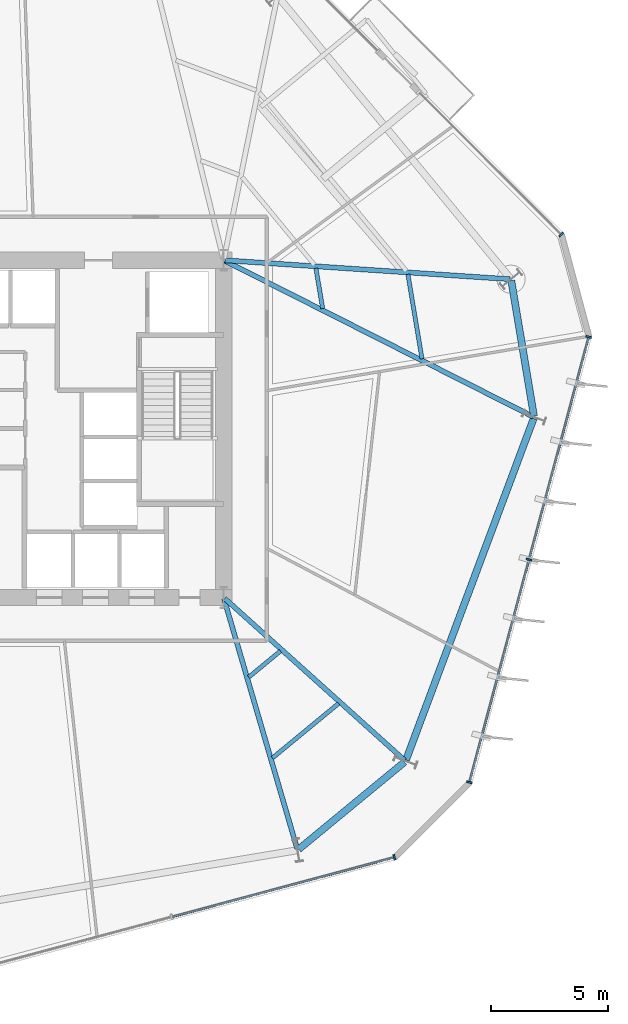
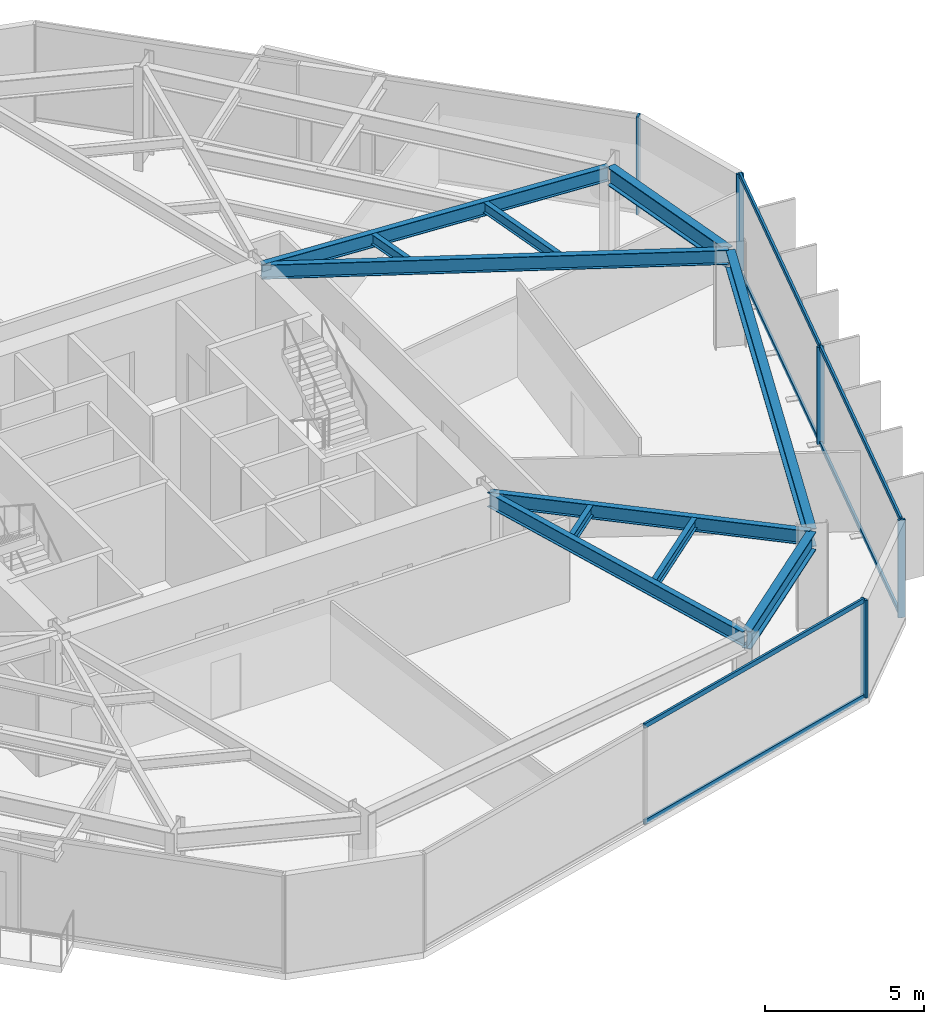
# One storey, part 3 of 10: 11 beams, 11 members, 3 elements without a shape of their own.
"""IFC4 building model written with IfcOpenShell, lengths in metres."""

from ifc_helpers import new_model, si_unit, direction, frame, origin, origin_2d, place, context, subcontext, project, spatial, rectangle, i_section, extrude, material, layer, layer_set, material_profile, profile_set, type_object, element, aggregate, save


model = new_model("IFC4")

# Units and contexts
model_context = context("Model", 3, precision=1e-05, world=origin(), true_north=direction((0.0, 1.0)))
body_context = subcontext(model_context, "Body", "Model", "MODEL_VIEW")
ifc_project = project(units=[si_unit("LENGTHUNIT", "METRE"), si_unit("AREAUNIT", "SQUARE_METRE"), si_unit("VOLUMEUNIT", "CUBIC_METRE"), si_unit("PLANEANGLEUNIT", "RADIAN"), si_unit("MASSUNIT", "GRAM", prefix="KILO")], contexts=[model_context])

# Site, building, storey
site_placement = place(None, origin())
site = spatial("IfcSite", under=ifc_project, at=site_placement, CompositionType="ELEMENT")
building_placement = place(site_placement, origin())
building = spatial("IfcBuilding", under=site, at=building_placement, Name="Kranzbogen Civic Tower", CompositionType="ELEMENT")
storey_placement = place(building_placement, frame((0.0, 0.0, 80.0)))
storey = spatial("IfcBuildingStorey", under=building, at=storey_placement, Name="L19", CompositionType="ELEMENT", Elevation=80.0)

# Curtain wall, member
ifc_material_1 = material(Name="Pale Anodised Aluminium", Category="aluminium")
ifc_layer = layer(ifc_material_1, 0.219970703125, Name="Pale Anodised Aluminium")
ifc_layer_set = layer_set([ifc_layer], Name="Pale Anodised Aluminium")
curtain_wall_type = type_object("IfcCurtainWallType", Name="Zone 1 Stick Curtain Wall System CW-02", PredefinedType="USERDEFINED", material=ifc_layer_set)
curtain_wall_1_placement = place(storey_placement, origin())
curtain_wall_1 = element("IfcCurtainWall", 1, at=curtain_wall_1_placement, inside=storey, type_object=curtain_wall_type, Name="L19 curtain wall CW-L19-F1-S1", ObjectType="STICK CURTAIN WALL", PredefinedType="USERDEFINED")
ifc_material_profile_1 = material_profile(ifc_material_1, rectangle(XDim=0.080078125, YDim=0.239990234375, at=origin_2d()), Name="ALU-M 80x240")
ifc_profile_set_1 = profile_set([ifc_material_profile_1], Name="Pale Anodised Aluminium")
member_type_1 = type_object("IfcMemberType", Name="Curtain Wall Mullion ALU-M 80x240", PredefinedType="MULLION", material=ifc_profile_set_1)
member_1_placement = place(storey_placement, frame((47.2138671875, 33.294189453125, 0.0), z_axis=(0.0, 0.0, 1.0), x_axis=(-0.707106781187, 0.707106781187, 0.0)))
member_1 = element("IfcMember", 2, at=member_1_placement, type_object=member_type_1, Name="CW-02 mullion 1", PredefinedType="MULLION", context=body_context, shape_type="SweptSolid", body=[
    extrude(rectangle(XDim=0.080078125, YDim=0.239990234375, at=origin_2d()), origin(), (0.0, 0.0, 1.0), 3.760009765625),
])
aggregate(curtain_wall_1, [member_1])

curtain_wall_2_placement = place(storey_placement, origin())
curtain_wall_2 = element("IfcCurtainWall", 3, at=curtain_wall_2_placement, inside=storey, type_object=curtain_wall_type, Name="L19 curtain wall CW-L19-F5", ObjectType="STICK CURTAIN WALL", PredefinedType="USERDEFINED")
member_2_placement = place(storey_placement, frame((40.090087890625, 6.710205078125, 0.0), z_axis=(0.0, 0.0, 1.0), x_axis=(0.96591730458, 0.258850846459, 0.0)))
member_2 = element("IfcMember", 4, at=member_2_placement, type_object=member_type_1, Name="CW-02 mullion 3", PredefinedType="MULLION", context=body_context, shape_type="SweptSolid", body=[
    extrude(rectangle(XDim=0.080078125, YDim=0.239990234375, at=origin_2d()), origin(), (0.0, 0.0, 1.0), 3.760009765625),
])

# Curtain wall, members
curtain_wall_3_placement = place(storey_placement, origin())
curtain_wall_3 = element("IfcCurtainWall", 5, at=curtain_wall_3_placement, inside=storey, type_object=curtain_wall_type, Name="L19 curtain wall CW-L19-F6", ObjectType="STICK CURTAIN WALL", PredefinedType="USERDEFINED")
member_3_placement = place(storey_placement, frame((43.289794921875, 9.909912109375, 0.0), z_axis=(0.0, 0.0, 1.0), x_axis=(0.258850846459, 0.96591730458, 0.0)))
member_3 = element("IfcMember", 6, at=member_3_placement, type_object=member_type_1, Name="CW-02 mullion 1", PredefinedType="MULLION", context=body_context, shape_type="SweptSolid", body=[
    extrude(rectangle(XDim=0.080078125, YDim=0.239990234375, at=origin_2d()), origin(), (0.0, 0.0, 1.0), 3.760009765625),
])
member_4_placement = place(storey_placement, frame((45.83740234375, 19.4169921875, 0.0), z_axis=(0.0, 0.0, 1.0), x_axis=(0.258850846459, 0.96591730458, 0.0)))
member_4 = element("IfcMember", 7, at=member_4_placement, type_object=member_type_1, Name="CW-02 mullion 2", PredefinedType="MULLION", context=body_context, shape_type="SweptSolid", body=[
    extrude(rectangle(XDim=0.080078125, YDim=0.239990234375, at=origin_2d()), origin(), (0.0, 0.0, 1.0), 3.760009765625),
])
member_5_placement = place(storey_placement, frame((48.38525390625, 28.924072265625, 0.0), z_axis=(0.0, 0.0, 1.0), x_axis=(0.258850846459, 0.96591730458, 0.0)))
member_5 = element("IfcMember", 8, at=member_5_placement, type_object=member_type_1, Name="CW-02 mullion 3", PredefinedType="MULLION", context=body_context, shape_type="SweptSolid", body=[
    extrude(rectangle(XDim=0.080078125, YDim=0.239990234375, at=origin_2d()), origin(), (0.0, 0.0, 1.0), 3.760009765625),
])

# Member
ifc_material_profile_2 = material_profile(ifc_material_1, rectangle(XDim=0.080078125, YDim=0.179931640625, at=origin_2d()), Name="ALU-T 80x180")
ifc_profile_set_2 = profile_set([ifc_material_profile_2], Name="Pale Anodised Aluminium")
member_type_2 = type_object("IfcMemberType", Name="Curtain Wall Transom ALU-T 80x180", PredefinedType="USERDEFINED", material=ifc_profile_set_2)
member_6_placement = place(storey_placement, frame((30.612060546875, 4.170166015625, 0.030029296875), z_axis=(0.965916077313, 0.258855426036, 0.0), x_axis=(-0.258855426036, 0.965916077313, 0.0)))
member_6 = element("IfcMember", 9, at=member_6_placement, type_object=member_type_2, Name="CW-02 transom 2.1", ObjectType="TRANSOM", PredefinedType="USERDEFINED", context=body_context, shape_type="SweptSolid", body=[
    extrude(rectangle(XDim=0.080078125, YDim=0.179931640625, at=origin_2d()), origin(), (0.0, 0.0, 1.0), 9.782470703125),
])

member_7_placement = place(storey_placement, frame((30.612060546875, 4.170166015625, 3.72998046875), z_axis=(0.965916077313, 0.258855426036, 0.0), x_axis=(-0.258855426036, 0.965916077313, 0.0)))
member_7 = element("IfcMember", 10, at=member_7_placement, type_object=member_type_2, Name="CW-02 transom 2.2", ObjectType="TRANSOM", PredefinedType="USERDEFINED", context=body_context, shape_type="SweptSolid", body=[
    extrude(rectangle(XDim=0.080078125, YDim=0.179931640625, at=origin_2d()), origin(), (0.0, 0.0, 1.0), 9.782470703125),
])

aggregate(curtain_wall_2, [member_2, member_6, member_7])

member_8_placement = place(storey_placement, frame((43.297607421875, 9.93896484375, 0.030029296875), z_axis=(0.258855426036, 0.965916077313, 0.0), x_axis=(-0.965916077313, 0.258855426036, 0.0)))
member_8 = element("IfcMember", 11, at=member_8_placement, type_object=member_type_2, Name="CW-02 transom 1.1", ObjectType="TRANSOM", PredefinedType="USERDEFINED", context=body_context, shape_type="SweptSolid", body=[
    extrude(rectangle(XDim=0.080078125, YDim=0.179931640625, at=origin_2d()), origin(), (0.0, 0.0, 1.0), 9.782470703125),
])

member_9_placement = place(storey_placement, frame((43.297607421875, 9.93896484375, 3.72998046875), z_axis=(0.258855426036, 0.965916077313, 0.0), x_axis=(-0.965916077313, 0.258855426036, 0.0)))
member_9 = element("IfcMember", 12, at=member_9_placement, type_object=member_type_2, Name="CW-02 transom 1.2", ObjectType="TRANSOM", PredefinedType="USERDEFINED", context=body_context, shape_type="SweptSolid", body=[
    extrude(rectangle(XDim=0.080078125, YDim=0.179931640625, at=origin_2d()), origin(), (0.0, 0.0, 1.0), 9.782470703125),
])

member_10_placement = place(storey_placement, frame((45.84521484375, 19.446044921875, 0.030029296875), z_axis=(0.258855426036, 0.965916077313, 0.0), x_axis=(-0.965916077313, 0.258855426036, 0.0)))
member_10 = element("IfcMember", 13, at=member_10_placement, type_object=member_type_2, Name="CW-02 transom 2.1", ObjectType="TRANSOM", PredefinedType="USERDEFINED", context=body_context, shape_type="SweptSolid", body=[
    extrude(rectangle(XDim=0.080078125, YDim=0.179931640625, at=origin_2d()), origin(), (0.0, 0.0, 1.0), 9.782470703125),
])

member_11_placement = place(storey_placement, frame((45.84521484375, 19.446044921875, 3.72998046875), z_axis=(0.258855426036, 0.965916077313, 0.0), x_axis=(-0.965916077313, 0.258855426036, 0.0)))
member_11 = element("IfcMember", 14, at=member_11_placement, type_object=member_type_2, Name="CW-02 transom 2.2", ObjectType="TRANSOM", PredefinedType="USERDEFINED", context=body_context, shape_type="SweptSolid", body=[
    extrude(rectangle(XDim=0.080078125, YDim=0.179931640625, at=origin_2d()), origin(), (0.0, 0.0, 1.0), 9.782470703125),
])

aggregate(curtain_wall_3, [member_3, member_4, member_5, member_8, member_9, member_10, member_11])

# Beams
ifc_material_2 = material(Name="Steel S355", Category="steel")
ifc_material_profile_3 = material_profile(ifc_material_2, i_section(OverallWidth=0.300048828125, OverallDepth=0.699951171875, WebThickness=0.01708984375, FlangeThickness=0.031982421875, at=origin_2d()), Name="HEB 700")
ifc_profile_set_3 = profile_set([ifc_material_profile_3], Name="Steel S355")
beam_type_1 = type_object("IfcBeamType", Name="Perimeter Tube Spandrel Beam HEB 700", PredefinedType="SPANDREL", material=ifc_profile_set_3)
beam_1_placement = place(storey_placement, frame((36.00390625, 7.050048828125, 3.409912109375), z_axis=(0.77168336865, 0.636006901337, 0.0), x_axis=(-0.636006901337, 0.77168336865, 0.0)))
element("IfcBeam", 15, at=beam_1_placement, inside=storey, type_object=beam_type_1, Name="L19 perimeter spandrel beam 05", PredefinedType="SPANDREL", context=body_context, shape_type="SweptSolid", body=[
    extrude(i_section(OverallWidth=0.300048828125, OverallDepth=0.699951171875, WebThickness=0.01708984375, FlangeThickness=0.031982421875, at=origin_2d()), origin(), (0.0, 0.0, 1.0), 5.853515625),
])
beam_2_placement = place(storey_placement, frame((40.587890625, 10.866943359375, 3.409912109375), z_axis=(0.350172267932, 0.936685316833, 0.0), x_axis=(-0.936685316833, 0.350172267932, 0.0)))
element("IfcBeam", 16, at=beam_2_placement, inside=storey, type_object=beam_type_1, Name="L19 perimeter spandrel beam 06", PredefinedType="SPANDREL", context=body_context, shape_type="SweptSolid", body=[
    extrude(i_section(OverallWidth=0.300048828125, OverallDepth=0.699951171875, WebThickness=0.01708984375, FlangeThickness=0.031982421875, at=origin_2d()), origin(), (0.0, 0.0, 1.0), 15.55810546875),
])
beam_3_placement = place(storey_placement, frame((46.047119140625, 25.554931640625, 3.409912109375), z_axis=(-0.164913116942, 0.986308097838, 0.0), x_axis=(-0.986308097838, -0.164913116942, 0.0)))
element("IfcBeam", 17, at=beam_3_placement, inside=storey, type_object=beam_type_1, Name="L19 perimeter spandrel beam 07", PredefinedType="SPANDREL", context=body_context, shape_type="SweptSolid", body=[
    extrude(i_section(OverallWidth=0.300048828125, OverallDepth=0.699951171875, WebThickness=0.01708984375, FlangeThickness=0.031982421875, at=origin_2d()), origin(), (0.0, 0.0, 1.0), 5.85205078125),
])
ifc_material_profile_4 = material_profile(ifc_material_2, i_section(OverallWidth=0.2099609375, OverallDepth=0.550048828125, WebThickness=0.010986328125, FlangeThickness=0.01708984375, at=origin_2d()), Name="IPE 550")
ifc_profile_set_4 = profile_set([ifc_material_profile_4], Name="Steel S355")
beam_type_2 = type_object("IfcBeamType", Name="Radial Tower Floor Girder IPE 550", PredefinedType="BEAM", material=ifc_profile_set_4)
beam_4_placement = place(storey_placement, frame((35.94091796875, 7.070068359375, 3.485107421875), z_axis=(-0.280944131918, 0.959724124288, 0.0), x_axis=(-0.959724124288, -0.280944131918, 0.0)))
element("IfcBeam", 18, at=beam_4_placement, inside=storey, type_object=beam_type_2, Name="L19 radial floor girder 05", PredefinedType="BEAM", context=body_context, shape_type="SweptSolid", body=[
    extrude(i_section(OverallWidth=0.2099609375, OverallDepth=0.550048828125, WebThickness=0.010986328125, FlangeThickness=0.01708984375, at=origin_2d()), origin(), (0.0, 0.0, 1.0), 11.11962890625),
])
beam_5_placement = place(storey_placement, frame((40.52197265625, 10.85107421875, 3.485107421875), z_axis=(-0.743311776894, 0.668945141496, 0.0), x_axis=(-0.668945141496, -0.743311776894, 0.0)))
element("IfcBeam", 19, at=beam_5_placement, inside=storey, type_object=beam_type_2, Name="L19 radial floor girder 06", PredefinedType="BEAM", context=body_context, shape_type="SweptSolid", body=[
    extrude(i_section(OverallWidth=0.2099609375, OverallDepth=0.550048828125, WebThickness=0.010986328125, FlangeThickness=0.01708984375, at=origin_2d()), origin(), (0.0, 0.0, 1.0), 10.328125),
])
beam_6_placement = place(storey_placement, frame((46.0029296875, 25.52294921875, 3.485107421875), z_axis=(-0.892363219254, 0.451317942168, 0.0), x_axis=(-0.451317942168, -0.892363219254, 0.0)))
element("IfcBeam", 20, at=beam_6_placement, inside=storey, type_object=beam_type_2, Name="L19 radial floor girder 07", PredefinedType="BEAM", context=body_context, shape_type="SweptSolid", body=[
    extrude(i_section(OverallWidth=0.2099609375, OverallDepth=0.550048828125, WebThickness=0.010986328125, FlangeThickness=0.01708984375, at=origin_2d()), origin(), (0.0, 0.0, 1.0), 14.73486328125),
])
beam_7_placement = place(storey_placement, frame((45.011962890625, 31.389892578125, 3.485107421875), z_axis=(-0.99780674843, 0.066194356156, 0.0), x_axis=(-0.066194356156, -0.99780674843, 0.0)))
element("IfcBeam", 21, at=beam_7_placement, inside=storey, type_object=beam_type_2, Name="L19 radial floor girder 08", PredefinedType="BEAM", context=body_context, shape_type="SweptSolid", body=[
    extrude(i_section(OverallWidth=0.2099609375, OverallDepth=0.550048828125, WebThickness=0.010986328125, FlangeThickness=0.01708984375, at=origin_2d()), origin(), (0.0, 0.0, 1.0), 12.178466796875),
])
ifc_material_profile_5 = material_profile(ifc_material_2, i_section(OverallWidth=0.179931640625, OverallDepth=0.39990234375, WebThickness=0.008544921875, FlangeThickness=0.013427734375, at=origin_2d()), Name="IPE 400")
ifc_profile_set_5 = profile_set([ifc_material_profile_5], Name="Steel S355")
beam_type_3 = type_object("IfcBeamType", Name="Secondary Composite Floor Joist IPE 400", PredefinedType="JOIST", material=ifc_profile_set_5)
beam_8_placement = place(storey_placement, frame((34.883056640625, 10.947021484375, 3.56005859375), z_axis=(0.771712720426, 0.635971286406, 0.0), x_axis=(-0.635971286406, 0.771712720426, 0.0)))
element("IfcBeam", 22, at=beam_8_placement, inside=storey, type_object=beam_type_3, Name="L19 secondary floor joist 1.05", PredefinedType="JOIST", context=body_context, shape_type="SweptSolid", body=[
    extrude(i_section(OverallWidth=0.179931640625, OverallDepth=0.39990234375, WebThickness=0.008544921875, FlangeThickness=0.013427734375, at=origin_2d()), origin(), (0.0, 0.0, 1.0), 3.661865234375),
])
beam_9_placement = place(storey_placement, frame((33.8720703125, 14.39892578125, 3.56005859375), z_axis=(0.771773324836, 0.635897739477, 0.0), x_axis=(-0.635897739477, 0.771773324836, 0.0)))
element("IfcBeam", 23, at=beam_9_placement, inside=storey, type_object=beam_type_3, Name="L19 secondary floor joist 2.05", PredefinedType="JOIST", context=body_context, shape_type="SweptSolid", body=[
    extrude(i_section(OverallWidth=0.179931640625, OverallDepth=0.39990234375, WebThickness=0.008544921875, FlangeThickness=0.013427734375, at=origin_2d()), origin(), (0.0, 0.0, 1.0), 1.751953125),
])
beam_10_placement = place(storey_placement, frame((41.27099609375, 27.988037109375, 3.56005859375), z_axis=(-0.164928678379, 0.986305495802, 0.0), x_axis=(-0.986305495802, -0.164928678379, 0.0)))
element("IfcBeam", 24, at=beam_10_placement, inside=storey, type_object=beam_type_3, Name="L19 secondary floor joist 1.07", PredefinedType="JOIST", context=body_context, shape_type="SweptSolid", body=[
    extrude(i_section(OverallWidth=0.179931640625, OverallDepth=0.39990234375, WebThickness=0.008544921875, FlangeThickness=0.013427734375, at=origin_2d()), origin(), (0.0, 0.0, 1.0), 3.662109375),
])
beam_11_placement = place(storey_placement, frame((37.029052734375, 30.134033203125, 3.56005859375), z_axis=(-0.165077224104, 0.986280644686, 0.0), x_axis=(-0.986280644686, -0.165077224104, 0.0)))
element("IfcBeam", 25, at=beam_11_placement, inside=storey, type_object=beam_type_3, Name="L19 secondary floor joist 2.07", PredefinedType="JOIST", context=body_context, shape_type="SweptSolid", body=[
    extrude(i_section(OverallWidth=0.179931640625, OverallDepth=0.39990234375, WebThickness=0.008544921875, FlangeThickness=0.013427734375, at=origin_2d()), origin(), (0.0, 0.0, 1.0), 1.7509765625),
])

save(model, "model.ifc")
